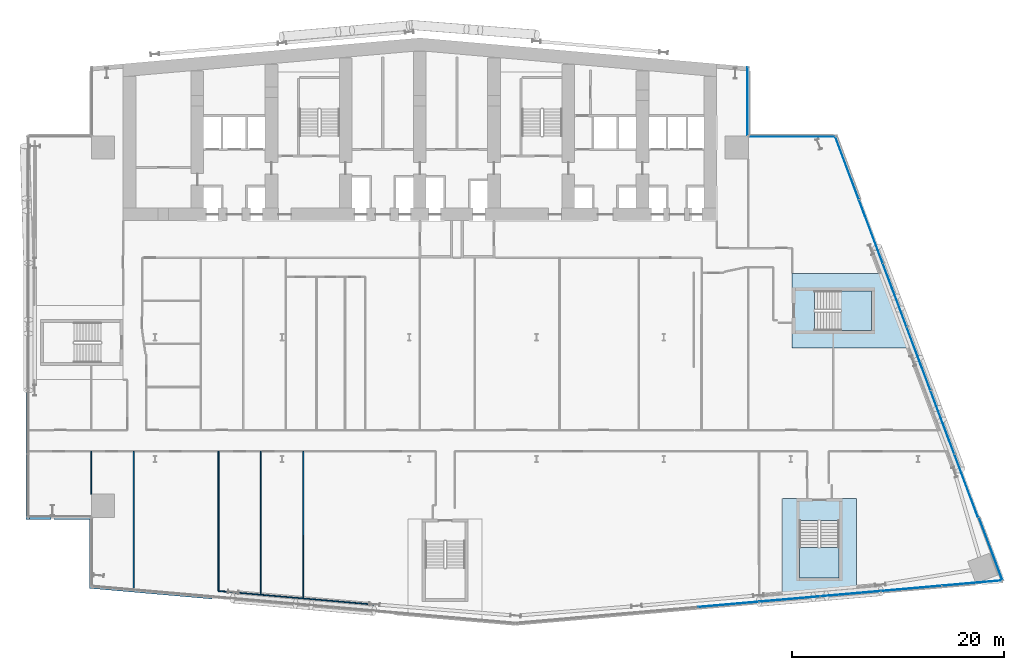
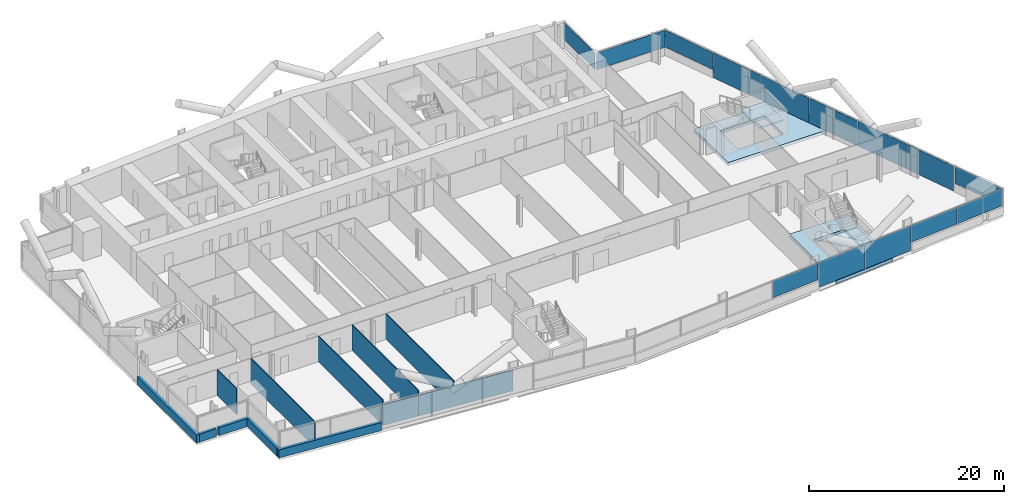
# One storey, part 12 of 27: 14 plates, 12 walls, 4 slabs, 6 elements without a shape of their own.
"""IFC4 building model written with IfcOpenShell, lengths in metres."""

from ifc_helpers import new_model, si_unit, direction, frame, frame_2d, origin, origin_2d, place, context, subcontext, project, spatial, polyline, rectangle, outline, extrude, material, layer, layer_set, type_object, element, aggregate, save


model = new_model("IFC4")

# Units and contexts
model_context = context("Model", 3, precision=1e-05, world=origin(), true_north=direction((0.0, 1.0)))
body_context = subcontext(model_context, "Body", "Model", "MODEL_VIEW")
ifc_project = project(units=[si_unit("LENGTHUNIT", "METRE"), si_unit("AREAUNIT", "SQUARE_METRE"), si_unit("VOLUMEUNIT", "CUBIC_METRE"), si_unit("PLANEANGLEUNIT", "RADIAN"), si_unit("MASSUNIT", "GRAM", prefix="KILO")], contexts=[model_context])

# Site, building, storey
site_placement = place(None, origin())
site = spatial("IfcSite", under=ifc_project, at=site_placement, CompositionType="ELEMENT")
building_placement = place(site_placement, origin())
building = spatial("IfcBuilding", under=site, at=building_placement, Name="Wharfspan Tower", CompositionType="ELEMENT")
storey_placement = place(building_placement, frame((0.0, 0.0, 48.699951)))
storey = spatial("IfcBuildingStorey", under=building, at=storey_placement, Name="L08", CompositionType="ELEMENT", Elevation=48.699951)

# Curtain wall, plates
ifc_material_1 = material(Name="Aluminium 6063-T6", Category="aluminium")
curtain_wall_type_1 = type_object("IfcCurtainWallType", Name="CURTAIN WALL FACETED FRONT", PredefinedType="NOTDEFINED", material=ifc_material_1)
curtain_wall_1_placement = place(storey_placement, origin())
curtain_wall_1 = element("IfcCurtainWall", 1, at=curtain_wall_1_placement, inside=storey, type_object=curtain_wall_type_1, Name="Curtain wall S2", PredefinedType="NOTDEFINED")
ifc_material_2 = material(Name="Glass clear low-iron double glazing", Category="glass")
ifc_layer_1 = layer(ifc_material_2, 0.040039)
ifc_layer_set_1 = layer_set([ifc_layer_1], Name="Glass clear low-iron double glazing")
plate_type_1 = type_object("IfcPlateType", Name="GLASS PANEL FACETED FRONT 40", PredefinedType="CURTAIN_PANEL", material=ifc_layer_set_1)
plate_1_placement = place(storey_placement, frame((66.119873, -2.204102, 1.0), z_axis=(0.0, 0.0, 1.0), x_axis=(0.996197, 0.087156, 0.0)))
plate_1 = element("IfcPlate", 2, at=plate_1_placement, type_object=plate_type_1, Name="Curtain wall S2 panel 4", PredefinedType="CURTAIN_PANEL", context=body_context, shape_type="SweptSolid", body=[
    extrude(rectangle(XDim=5.711914, YDim=0.040039, at=origin_2d()), origin(), (0.0, 0.0, 1.0), 2.120117),
])
plate_2_placement = place(storey_placement, frame((83.369873, -0.694824, 1.0), z_axis=(0.0, 0.0, 1.0), x_axis=(0.996197, 0.087156, 0.0)))
plate_2 = element("IfcPlate", 3, at=plate_2_placement, type_object=plate_type_1, Name="Curtain wall S2 panel 7", PredefinedType="CURTAIN_PANEL", context=body_context, shape_type="SweptSolid", body=[
    extrude(rectangle(XDim=5.711914, YDim=0.040039, at=origin_2d()), origin(), (0.0, 0.0, 1.0), 2.120117),
])
plate_3_placement = place(storey_placement, frame((89.104736, -0.193115, 1.0), z_axis=(0.0, 0.0, 1.0), x_axis=(0.996197, 0.087156, 0.0)))
plate_3 = element("IfcPlate", 4, at=plate_3_placement, type_object=plate_type_1, Name="Curtain wall S2 panel 8", PredefinedType="CURTAIN_PANEL", context=body_context, shape_type="SweptSolid", body=[
    extrude(rectangle(XDim=5.681885, YDim=0.040039, at=origin_2d()), origin(), (0.0, 0.0, 1.0), 2.120117),
])

curtain_wall_type_2 = type_object("IfcCurtainWallType", Name="CURTAIN WALL PROW AND END", PredefinedType="NOTDEFINED", material=ifc_material_1)
curtain_wall_2_placement = place(storey_placement, origin())
curtain_wall_2 = element("IfcCurtainWall", 5, at=curtain_wall_2_placement, inside=storey, type_object=curtain_wall_type_2, Name="Curtain wall E", PredefinedType="NOTDEFINED")
ifc_layer_2 = layer(ifc_material_2, 0.040039)
ifc_layer_set_2 = layer_set([ifc_layer_2], Name="Glass clear low-iron double glazing")
plate_type_2 = type_object("IfcPlateType", Name="GLASS PANEL PROW AND END 40", PredefinedType="CURTAIN_PANEL", material=ifc_layer_set_2)
plate_4_placement = place(storey_placement, frame((90.869629, 3.01416, 1.0), z_axis=(0.0, 0.0, 1.0), x_axis=(-0.351123, 0.936328, 0.0)))
plate_4 = element("IfcPlate", 6, at=plate_4_placement, type_object=plate_type_2, Name="Curtain wall E panel 1", PredefinedType="CURTAIN_PANEL", context=body_context, shape_type="SweptSolid", body=[
    extrude(rectangle(XDim=6.318115, YDim=0.040039, at=origin_2d()), origin(), (0.0, 0.0, 1.0), 2.120117),
])
plate_5_placement = place(storey_placement, frame((77.30542, 38.957764, 1.0), z_axis=(0.0, 0.0, 1.0), x_axis=(-0.351123, 0.936328, 0.0)))
plate_5 = element("IfcPlate", 7, at=plate_5_placement, type_object=plate_type_2, Name="Curtain wall E panel 7", PredefinedType="CURTAIN_PANEL", context=body_context, shape_type="SweptSolid", body=[
    extrude(rectangle(XDim=6.318115, YDim=0.040039, at=origin_2d()), origin(), (0.0, 0.0, 1.0), 2.120117),
])

# Curtain wall, plate
curtain_wall_3_placement = place(storey_placement, origin())
curtain_wall_3 = element("IfcCurtainWall", 8, at=curtain_wall_3_placement, inside=storey, type_object=curtain_wall_type_2, Name="Curtain wall NRE-H", PredefinedType="NOTDEFINED")
plate_6_placement = place(storey_placement, frame((72.125, 41.919922, 1.0), z_axis=(0.0, 0.0, 1.0), x_axis=(-1.0, 0.0, 0.0)))
plate_6 = element("IfcPlate", 9, at=plate_6_placement, type_object=plate_type_2, Name="Curtain wall NRE-H panel 1", PredefinedType="CURTAIN_PANEL", context=body_context, shape_type="SweptSolid", body=[
    extrude(rectangle(XDim=8.129883, YDim=0.040039, at=origin_2d()), origin(), (0.0, 0.0, 1.0), 2.120117),
])
aggregate(curtain_wall_3, [plate_6])

curtain_wall_4_placement = place(storey_placement, origin())
curtain_wall_4 = element("IfcCurtainWall", 10, at=curtain_wall_4_placement, inside=storey, type_object=curtain_wall_type_2, Name="Curtain wall NRE-V", PredefinedType="NOTDEFINED")
plate_7_placement = place(storey_placement, frame((67.919922, 45.262451, 1.0), z_axis=(0.0, 0.0, 1.0), x_axis=(0.0, 1.0, 0.0)))
plate_7 = element("IfcPlate", 11, at=plate_7_placement, type_object=plate_type_2, Name="Curtain wall NRE-V panel 1", PredefinedType="CURTAIN_PANEL", context=body_context, shape_type="SweptSolid", body=[
    extrude(rectangle(XDim=6.405029, YDim=0.040039, at=origin_2d()), origin(), (0.0, 0.0, 1.0), 2.120117),
])
aggregate(curtain_wall_4, [plate_7])

# Plate
ifc_material_3 = material(Name="Aluminium composite opaque insulated panel", Category="aluminium")
ifc_layer_3 = layer(ifc_material_3, 0.040039)
ifc_layer_set_3 = layer_set([ifc_layer_3], Name="Aluminium composite opaque insulated panel")
plate_type_3 = type_object("IfcPlateType", Name="INFILL PANEL FACETED FRONT OPAQUE 40", PredefinedType="SHEET", material=ifc_layer_set_3)
plate_8_placement = place(storey_placement, frame((71.869873, -1.700928, 0.0), z_axis=(0.0, 0.0, 1.0), x_axis=(0.996197, 0.087156, 0.0)))
plate_8 = element("IfcPlate", 12, at=plate_8_placement, type_object=plate_type_3, Name="Curtain wall S2 panel 5", PredefinedType="SHEET", context=body_context, shape_type="SweptSolid", body=[
    extrude(rectangle(XDim=5.711914, YDim=0.040039, at=origin_2d()), origin(), (0.0, 0.0, 1.0), 3.120117),
])

plate_9_placement = place(storey_placement, frame((77.619873, -1.197998, 0.0), z_axis=(0.0, 0.0, 1.0), x_axis=(0.996197, 0.087156, 0.0)))
plate_9 = element("IfcPlate", 13, at=plate_9_placement, type_object=plate_type_3, Name="Curtain wall S2 panel 6", PredefinedType="SHEET", context=body_context, shape_type="SweptSolid", body=[
    extrude(rectangle(XDim=5.711914, YDim=0.040039, at=origin_2d()), origin(), (0.0, 0.0, 1.0), 3.120117),
])

aggregate(curtain_wall_1, [plate_1, plate_8, plate_9, plate_2, plate_3])

ifc_layer_4 = layer(ifc_material_3, 0.040039)
ifc_layer_set_4 = layer_set([ifc_layer_4], Name="Aluminium composite opaque insulated panel")
plate_type_4 = type_object("IfcPlateType", Name="INFILL PANEL PROW AND END OPAQUE 40", PredefinedType="SHEET", material=ifc_layer_set_4)
plate_10_placement = place(storey_placement, frame((88.550049, 8.971924, 0.0), z_axis=(0.0, 0.0, 1.0), x_axis=(-0.351123, 0.936328, 0.0)))
plate_10 = element("IfcPlate", 14, at=plate_10_placement, type_object=plate_type_4, Name="Curtain wall E panel 2", PredefinedType="SHEET", context=body_context, shape_type="SweptSolid", body=[
    extrude(rectangle(XDim=6.3479, YDim=0.040039, at=origin_2d()), origin(), (0.0, 0.0, 1.0), 3.120117),
])

plate_11_placement = place(storey_placement, frame((86.300049, 14.971924, 0.0), z_axis=(0.0, 0.0, 1.0), x_axis=(-0.351123, 0.936328, 0.0)))
plate_11 = element("IfcPlate", 15, at=plate_11_placement, type_object=plate_type_4, Name="Curtain wall E panel 3", PredefinedType="SHEET", context=body_context, shape_type="SweptSolid", body=[
    extrude(rectangle(XDim=6.3479, YDim=0.040039, at=origin_2d()), origin(), (0.0, 0.0, 1.0), 3.120117),
])

plate_12_placement = place(storey_placement, frame((84.050049, 20.971924, 0.0), z_axis=(0.0, 0.0, 1.0), x_axis=(-0.351123, 0.936328, 0.0)))
plate_12 = element("IfcPlate", 16, at=plate_12_placement, type_object=plate_type_4, Name="Curtain wall E panel 4", PredefinedType="SHEET", context=body_context, shape_type="SweptSolid", body=[
    extrude(rectangle(XDim=6.3479, YDim=0.040039, at=origin_2d()), origin(), (0.0, 0.0, 1.0), 3.120117),
])

plate_13_placement = place(storey_placement, frame((81.800049, 26.971924, 0.0), z_axis=(0.0, 0.0, 1.0), x_axis=(-0.351123, 0.936328, 0.0)))
plate_13 = element("IfcPlate", 17, at=plate_13_placement, type_object=plate_type_4, Name="Curtain wall E panel 5", PredefinedType="SHEET", context=body_context, shape_type="SweptSolid", body=[
    extrude(rectangle(XDim=6.3479, YDim=0.040039, at=origin_2d()), origin(), (0.0, 0.0, 1.0), 3.120117),
])

plate_14_placement = place(storey_placement, frame((79.550049, 32.971924, 0.0), z_axis=(0.0, 0.0, 1.0), x_axis=(-0.351123, 0.936328, 0.0)))
plate_14 = element("IfcPlate", 18, at=plate_14_placement, type_object=plate_type_4, Name="Curtain wall E panel 6", PredefinedType="SHEET", context=body_context, shape_type="SweptSolid", body=[
    extrude(rectangle(XDim=6.3479, YDim=0.040039, at=origin_2d()), origin(), (0.0, 0.0, 1.0), 3.120117),
])

aggregate(curtain_wall_2, [plate_4, plate_10, plate_11, plate_12, plate_13, plate_14, plate_5])

# Slabs
ifc_material_4 = material(Name="Concrete C40/50", Category="concrete")
ifc_layer_5 = layer(ifc_material_4, 0.399902)
ifc_layer_set_5 = layer_set([ifc_layer_5], Name="Concrete C40/50")
slab_type_1 = type_object("IfcSlabType", Name="Post-tensioned flat slab 400", PredefinedType="FLOOR", material=ifc_layer_set_5)
slab_1_placement = place(storey_placement, frame((0.0, 0.0, -0.400146)))
element("IfcSlab", 19, at=slab_1_placement, inside=storey, type_object=slab_type_1, Name="Core floor slab L08 part 5", PredefinedType="FLOOR", context=body_context, shape_type="SweptSolid", body=[
    extrude(outline(polyline([(78.192383, 7.791992), (76.867432, 7.791992), (72.517578, 7.791992), (71.192383, 7.791992), (71.192383, -1.820312), (78.192383, -1.208008), (78.192383, 7.791992)]), holes=[polyline([(76.567383, 5.694092), (76.567627, 5.694092), (76.567871, 5.694092), (76.568115, 5.693848), (76.568115, 5.693848), (76.568359, 5.693848), (76.568604, 5.693604), (76.568604, 5.693604), (76.568848, 5.693359), (76.569092, 5.693359), (76.569092, 5.693115), (76.569092, 5.692871), (76.569336, 5.692871), (76.569336, 5.692627), (76.569336, 5.692383), (76.56958, 5.692139), (76.56958, 5.691895), (76.56958, 0.291992), (76.56958, 0.291748), (76.569336, 0.291504), (76.569336, 0.291504), (76.569336, 0.29126), (76.569092, 0.291016), (76.569092, 0.291016), (76.569092, 0.290771), (76.568848, 0.290527), (76.568604, 0.290527), (76.568604, 0.290283), (76.568359, 0.290283), (76.568115, 0.290283), (76.568115, 0.290039), (76.567871, 0.290039), (76.567627, 0.290039), (76.567383, 0.290039), (72.817383, 0.290039), (72.817383, 0.290039), (72.817139, 0.290039), (72.816895, 0.290039), (72.81665, 0.290283), (72.816406, 0.290283), (72.816406, 0.290283), (72.816162, 0.290527), (72.816162, 0.290527), (72.815918, 0.290771), (72.815918, 0.291016), (72.815674, 0.291016), (72.815674, 0.29126), (72.815674, 0.291504), (72.81543, 0.291504), (72.81543, 0.291748), (72.81543, 0.291992), (72.81543, 5.691895), (72.81543, 5.692139), (72.81543, 5.692383), (72.815674, 5.692627), (72.815674, 5.692871), (72.815674, 5.692871), (72.815918, 5.693115), (72.815918, 5.693359), (72.816162, 5.693359), (72.816162, 5.693604), (72.816406, 5.693604), (72.816406, 5.693848), (72.81665, 5.693848), (72.816895, 5.693848), (72.817139, 5.694092), (72.817383, 5.694092), (72.817383, 5.694092), (76.567383, 5.694092)])]), origin(), (0.0, 0.0, 1.0), 0.400146),
])
slab_2_placement = place(storey_placement, frame((0.0, 0.0, -0.400146)))
element("IfcSlab", 20, at=slab_2_placement, inside=storey, type_object=slab_type_1, Name="Core floor slab L08 part 6", PredefinedType="FLOOR", context=body_context, shape_type="SweptSolid", body=[
    extrude(outline(polyline([(81.125, 29.0), (72.125, 29.0), (72.125, 27.675049), (72.125, 23.324951), (72.125, 22.0), (83.75, 22.0), (81.125, 29.0)]), holes=[polyline([(74.2229, 27.375), (74.2229, 27.375244), (74.2229, 27.375488), (74.223145, 27.375488), (74.223145, 27.375732), (74.223145, 27.375977), (74.223389, 27.376221), (74.223389, 27.376221), (74.223633, 27.376465), (74.223633, 27.376465), (74.223877, 27.376709), (74.224121, 27.376709), (74.224121, 27.376709), (74.224365, 27.376953), (74.224609, 27.376953), (74.224854, 27.376953), (74.225098, 27.376953), (79.625, 27.376953), (79.625244, 27.376953), (79.625488, 27.376953), (79.625488, 27.376953), (79.625732, 27.376709), (79.625977, 27.376709), (79.626221, 27.376709), (79.626221, 27.376465), (79.626465, 27.376465), (79.626465, 27.376221), (79.626709, 27.376221), (79.626709, 27.375977), (79.626709, 27.375732), (79.626953, 27.375488), (79.626953, 27.375488), (79.626953, 27.375244), (79.626953, 27.375), (79.626953, 23.625), (79.626953, 23.624756), (79.626953, 23.624512), (79.626953, 23.624512), (79.626709, 23.624268), (79.626709, 23.624023), (79.626709, 23.623779), (79.626465, 23.623779), (79.626465, 23.623535), (79.626221, 23.623535), (79.626221, 23.623291), (79.625977, 23.623291), (79.625732, 23.623291), (79.625488, 23.623047), (79.625488, 23.623047), (79.625244, 23.623047), (79.625, 23.623047), (74.225098, 23.623047), (74.224854, 23.623047), (74.224609, 23.623047), (74.224365, 23.623047), (74.224121, 23.623291), (74.224121, 23.623291), (74.223877, 23.623291), (74.223633, 23.623535), (74.223633, 23.623535), (74.223389, 23.623779), (74.223389, 23.623779), (74.223145, 23.624023), (74.223145, 23.624268), (74.223145, 23.624512), (74.2229, 23.624512), (74.2229, 23.624756), (74.2229, 23.625), (74.2229, 27.375)])]), origin(), (0.0, 0.0, 1.0), 0.400146),
])

# Stair, slab
stair_type = type_object("IfcStairType", Name="Half-turn stair 20 risers 180 mm", PredefinedType="HALF_TURN_STAIR", material=ifc_material_4)
stair_1_placement = place(storey_placement, origin())
stair_1 = element("IfcStair", 21, at=stair_1_placement, inside=storey, type_object=stair_type, Name="L08 stair ST5", PredefinedType="HALF_TURN_STAIR")
ifc_layer_6 = layer(ifc_material_4, 0.199951)
ifc_layer_set_6 = layer_set([ifc_layer_6], Name="Concrete C40/50")
slab_type_2 = type_object("IfcSlabType", Name="Stair landing 200", PredefinedType="LANDING", material=ifc_layer_set_6)
slab_3_placement = place(storey_placement, frame((0.0, 0.0, 1.599854)))
slab_3 = element("IfcSlab", 22, at=slab_3_placement, type_object=slab_type_2, Name="ST5 landing 1", PredefinedType="LANDING", context=body_context, shape_type="SweptSolid", body=[
    extrude(outline(polyline([(72.817383, 3.172119), (72.817383, 0.291992), (76.567383, 0.291992), (76.567383, 3.172119), (72.817383, 3.172119)])), origin(), (0.0, 0.0, 1.0), 0.200195),
])
aggregate(stair_1, [slab_3])

stair_2_placement = place(storey_placement, origin())
stair_2 = element("IfcStair", 23, at=stair_2_placement, inside=storey, type_object=stair_type, Name="L08 stair ST6", PredefinedType="HALF_TURN_STAIR")
slab_4_placement = place(storey_placement, frame((0.0, 0.0, 1.599854)))
slab_4 = element("IfcSlab", 24, at=slab_4_placement, type_object=slab_type_2, Name="ST6 landing 1", PredefinedType="LANDING", context=body_context, shape_type="SweptSolid", body=[
    extrude(outline(polyline([(76.745117, 23.625), (79.625, 23.625), (79.625, 27.375), (76.745117, 27.375), (76.745117, 23.625)])), origin(), (0.0, 0.0, 1.0), 0.200195),
])
aggregate(stair_2, [slab_4])

# Walls
ifc_material_5 = material(Name="Gypsum board on steel studs", Category="steel")
ifc_layer_7 = layer(ifc_material_5, 0.100098)
ifc_layer_set_7 = layer_set([ifc_layer_7], Name="Gypsum board on steel studs")
wall_type_1 = type_object("IfcWallType", Name="Compartment wall 100 EI 60", PredefinedType="PARTITIONING", material=ifc_layer_set_7)
wall_1_placement = place(storey_placement, frame((6.0, 8.209961, 0.0), z_axis=(0.0, 0.0, 1.0), x_axis=(0.0, 1.0, 0.0)))
element("IfcWall", 25, at=wall_1_placement, inside=storey, type_object=wall_type_1, Name="Partition L08.w006", PredefinedType="PARTITIONING", context=body_context, shape_type="SweptSolid", body=[
    extrude(rectangle(XDim=4.025146, YDim=0.100098, at=frame_2d((2.012695, 0.0))), origin(), (0.0, 0.0, 1.0), 3.199951),
])
wall_2_placement = place(storey_placement, frame((10.0, -0.854736, 0.0), z_axis=(0.0, 0.0, 1.0), x_axis=(0.0, 1.0, 0.0)))
element("IfcWall", 26, at=wall_2_placement, inside=storey, type_object=wall_type_1, Name="Partition L08.w011", PredefinedType="PARTITIONING", context=body_context, shape_type="SweptSolid", body=[
    extrude(rectangle(XDim=13.089844, YDim=0.100098, at=frame_2d((6.544922, 0.0))), origin(), (0.0, 0.0, 1.0), 3.199951),
])
wall_3_placement = place(storey_placement, frame((18.0, -0.939941, 0.0), z_axis=(0.0, 0.0, 1.0), x_axis=(0.0, 1.0, 0.0)))
element("IfcWall", 27, at=wall_3_placement, inside=storey, type_object=wall_type_1, Name="Partition L08.w024", PredefinedType="PARTITIONING", context=body_context, shape_type="SweptSolid", body=[
    extrude(rectangle(XDim=13.175049, YDim=0.100098, at=frame_2d((6.587402, 0.0))), origin(), (0.0, 0.0, 1.0), 3.199951),
])
wall_4_placement = place(storey_placement, frame((22.0, -1.294922, 0.0), z_axis=(0.0, 0.0, 1.0), x_axis=(0.0, 1.0, 0.0)))
element("IfcWall", 28, at=wall_4_placement, inside=storey, type_object=wall_type_1, Name="Partition L08.w027", PredefinedType="PARTITIONING", context=body_context, shape_type="SweptSolid", body=[
    extrude(rectangle(XDim=13.530029, YDim=0.100098, at=frame_2d((6.765137, 0.0))), origin(), (0.0, 0.0, 1.0), 3.199951),
])
wall_5_placement = place(storey_placement, frame((26.0, -1.64502, 0.0), z_axis=(0.0, 0.0, 1.0), x_axis=(-0.000352, 1.000004, 0.0)))
element("IfcWall", 29, at=wall_5_placement, inside=storey, type_object=wall_type_1, Name="Partition L08.w030", PredefinedType="PARTITIONING", context=body_context, shape_type="SweptSolid", body=[
    extrude(rectangle(XDim=13.880127, YDim=0.100098, at=frame_2d((6.939941, 0.0))), origin(), (0.0, 0.0, 1.0), 3.199951),
])
ifc_layer_8 = layer(ifc_material_5, 0.100098)
ifc_layer_set_8 = layer_set([ifc_layer_8], Name="Gypsum board on steel studs")
wall_type_2 = type_object("IfcWallType", Name="Partition 100", PredefinedType="PARTITIONING", material=ifc_layer_set_8)
wall_6_placement = place(storey_placement, frame((22.0, -1.294922, 0.0), z_axis=(0.0, 0.0, 1.0), x_axis=(-0.99611, 0.088069, 0.0)))
element("IfcWall", 30, at=wall_6_placement, inside=storey, type_object=wall_type_2, Name="Partition L08.w026", PredefinedType="PARTITIONING", context=body_context, shape_type="SweptSolid", body=[
    extrude(rectangle(XDim=4.016846, YDim=0.100098, at=frame_2d((2.008301, 0.0))), origin(), (0.0, 0.0, 1.0), 2.580078),
])
wall_7_placement = place(storey_placement, frame((32.665039, -2.225098, 0.0), z_axis=(0.0, 0.0, 1.0), x_axis=(-0.99623, 0.086702, 0.0)))
element("IfcWall", 31, at=wall_7_placement, inside=storey, type_object=wall_type_2, Name="Partition L08.w034", PredefinedType="PARTITIONING", context=body_context, shape_type="SweptSolid", body=[
    extrude(rectangle(XDim=10.705811, YDim=0.100098, at=frame_2d((5.353027, 0.0))), origin(), (0.0, 0.0, 1.0), 2.580078),
])
ifc_layer_9 = layer(ifc_material_4, 0.350098)
ifc_layer_set_9 = layer_set([ifc_layer_9], Name="Concrete C40/50")
wall_type_3 = type_object("IfcWallType", Name="SPANDREL EXPOSED CONCRETE 350", PredefinedType="SOLIDWALL", material=ifc_layer_set_9)
wall_8_placement = place(storey_placement, frame((5.835205, -0.515625, 0.0), z_axis=(0.0, 0.0, 1.0), x_axis=(0.996192, -0.087142, 0.0)))
element("IfcWall", 32, at=wall_8_placement, inside=storey, type_object=wall_type_3, Name="Spandrel upstand L08 S1 1", PredefinedType="SOLIDWALL", context=body_context, shape_type="SweptSolid", body=[
    extrude(rectangle(XDim=11.607178, YDim=0.350098, at=frame_2d((5.803711, 0.0))), origin(), (0.0, 0.0, 1.0), 1.0),
])
wall_9_placement = place(storey_placement, frame((-0.004883, 17.969971, 0.0), z_axis=(0.0, 0.0, 1.0), x_axis=(0.0, -1.0, 0.0)))
element("IfcWall", 33, at=wall_9_placement, inside=storey, type_object=wall_type_3, Name="Spandrel upstand L08 W", PredefinedType="SOLIDWALL", context=body_context, shape_type="SweptSolid", body=[
    extrude(rectangle(XDim=12.149902, YDim=0.350098, at=frame_2d((6.074951, 0.0))), origin(), (0.0, 0.0, 1.0), 1.0),
])
wall_10_placement = place(storey_placement, frame((0.169922, 5.995117, 0.0), z_axis=(0.0, 0.0, 1.0), x_axis=(1.0, 0.0, 0.0)))
element("IfcWall", 34, at=wall_10_placement, inside=storey, type_object=wall_type_3, Name="Spandrel upstand L08 NFW-H", PredefinedType="SOLIDWALL", context=body_context, shape_type="SweptSolid", body=[
    extrude(rectangle(XDim=2.010742, YDim=0.350098, at=frame_2d((1.005371, 0.0))), origin(), (0.0, 0.0, 1.0), 1.0),
])
wall_11_placement = place(storey_placement, frame((2.482666, 5.995117, 0.0), z_axis=(0.0, 0.0, 1.0), x_axis=(1.0, 0.0, 0.0)))
element("IfcWall", 35, at=wall_11_placement, inside=storey, type_object=wall_type_3, Name="Spandrel upstand L08 NFW-H 2", PredefinedType="SOLIDWALL", context=body_context, shape_type="SweptSolid", body=[
    extrude(rectangle(XDim=3.517334, YDim=0.350098, at=frame_2d((1.758789, 0.0))), origin(), (0.0, 0.0, 1.0), 1.0),
])
wall_12_placement = place(storey_placement, frame((5.995117, 5.820068, 0.0), z_axis=(0.0, 0.0, 1.0), x_axis=(0.0, -1.0, 0.0)))
element("IfcWall", 36, at=wall_12_placement, inside=storey, type_object=wall_type_3, Name="Spandrel upstand L08 NFW-V", PredefinedType="SOLIDWALL", context=body_context, shape_type="SweptSolid", body=[
    extrude(rectangle(XDim=6.161377, YDim=0.350098, at=frame_2d((3.080566, 0.0))), origin(), (0.0, 0.0, 1.0), 1.0),
])

save(model, "model.ifc")
